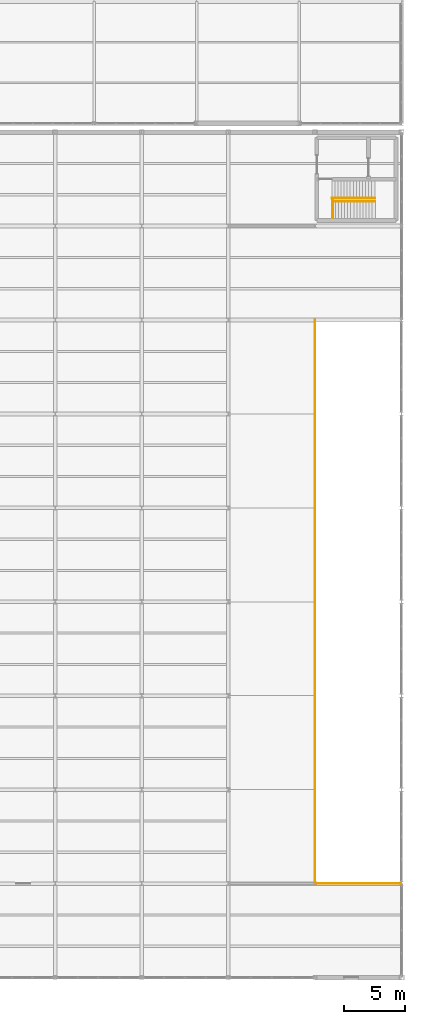
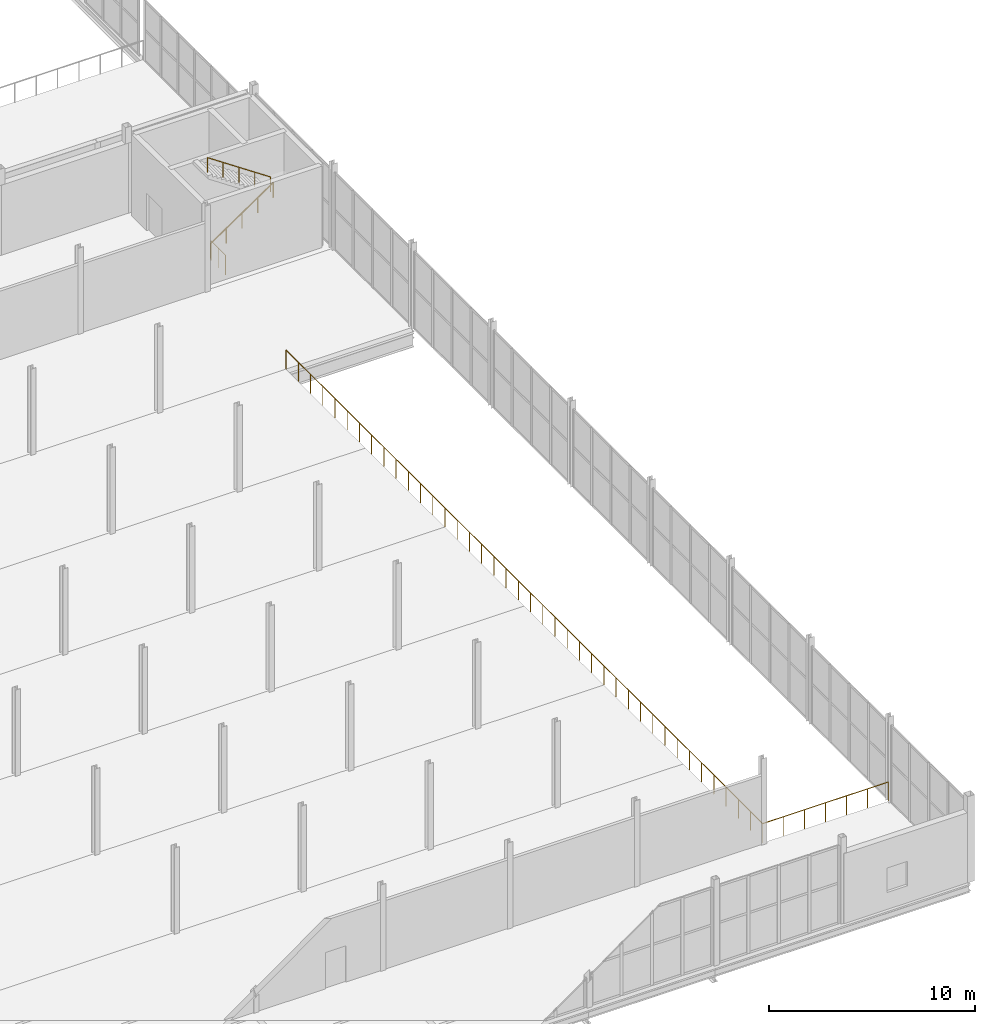
# One storey, part 217 of 218: 4 railings.
"""IFC4 building model written with IfcOpenShell, lengths in metres."""

import ifcopenshell
import ifcopenshell.guid

model = None  # the IFC model being written
_history = None  # IfcOwnerHistory: only IFC2X3 demands one
_inside = {}  # id of a spatial element -> (the spatial element, [elements in it])
_under = {}  # id of a project, library or spatial element -> (it, [spatial elements below it])
_declared = {}  # id of a project -> (the project, [libraries it declares])
_typed = {}  # id of a type object -> (the type object, [elements of that type])
_made_of = {}  # id of a material, layer set ... -> (it, [elements and type objects made of it])


def new_model(schema):
    """Start an empty IFC model of exactly this schema.

    Asked for "IFC4X3", IfcOpenShell would pick the latest addendum, in which some entities
    have other attributes; the version numbers below select the first issue.
    IFC2X3 requires an IfcOwnerHistory on every rooted entity: one is made here for all.
    """
    global model, _history
    if schema == "IFC4X3":
        model = ifcopenshell.file(schema_version=(4, 3, 0, 0))
    else:
        model = ifcopenshell.file(schema=schema)
    _inside.clear()
    _under.clear()
    _declared.clear()
    _typed.clear()
    _made_of.clear()
    _history = None
    if model.schema == "IFC2X3":
        org = make("IfcOrganization", Name="unknown")
        user = make(
            "IfcPersonAndOrganization",
            ThePerson=make("IfcPerson", FamilyName="unknown"),
            TheOrganization=org,
        )
        app = make(
            "IfcApplication",
            ApplicationDeveloper=org,
            Version="unknown",
            ApplicationFullName="unknown",
            ApplicationIdentifier="unknown",
        )
        _history = make(
            "IfcOwnerHistory",
            OwningUser=user,
            OwningApplication=app,
            ChangeAction="ADDED",
            CreationDate=0,
        )
    return model


def make(cls, **values):
    """One entity of the class cls with the attributes given. An attribute that is None is left unset."""
    return model.create_entity(
        cls, **{name: value for name, value in values.items() if value is not None}
    )


def rooted(cls, **values):
    """An entity with a GlobalId (a new one), such as an element, a storey or a relation."""
    return make(cls, GlobalId=ifcopenshell.guid.new(), OwnerHistory=_history, **values)


def si_unit(unit_type, name, prefix=None):
    """IfcSIUnit, for example si_unit("LENGTHUNIT", "METRE", prefix="MILLI")."""
    return make("IfcSIUnit", UnitType=unit_type, Prefix=prefix, Name=name)


def assignment(units):
    """IfcUnitAssignment: the units of a project."""
    return None if units is None else make("IfcUnitAssignment", Units=units)


def point(xyz):
    """IfcCartesianPoint."""
    return None if xyz is None else make("IfcCartesianPoint", Coordinates=xyz)


def direction(xyz):
    """IfcDirection."""
    return None if xyz is None else make("IfcDirection", DirectionRatios=xyz)


def frame(location, z_axis=None, x_axis=None):
    """IfcAxis2Placement3D, a coordinate frame: its origin and axes. An axis left out is left unset."""
    return make(
        "IfcAxis2Placement3D",
        Location=point(location),
        Axis=direction(z_axis),
        RefDirection=direction(x_axis),
    )


def frame_2d(location, x_axis=None):
    """IfcAxis2Placement2D, a coordinate frame in the plane: its origin and x axis."""
    return make(
        "IfcAxis2Placement2D", Location=point(location), RefDirection=direction(x_axis)
    )


def origin():
    """The frame at (0, 0, 0) with its axes left unset."""
    return frame((0.0, 0.0, 0.0))


def origin_2d():
    """The frame at (0, 0) in the plane with its x axis left unset."""
    return frame_2d((0.0, 0.0))


def place(relative_to, where):
    """IfcLocalPlacement: puts the frame where relative to a parent placement (None: the world)."""
    return make(
        "IfcLocalPlacement", PlacementRelTo=relative_to, RelativePlacement=where
    )


def context(
    kind, dimensions, precision=None, world=None, true_north=None, identifier=None
):
    """IfcGeometricRepresentationContext, for example the 3D "Model" context."""
    return make(
        "IfcGeometricRepresentationContext",
        ContextIdentifier=identifier,
        ContextType=kind,
        CoordinateSpaceDimension=dimensions,
        Precision=precision,
        WorldCoordinateSystem=world,
        TrueNorth=true_north,
    )


def subcontext(parent, identifier, kind, view, scale=None):
    """IfcGeometricRepresentationSubContext, for example "Body" below "Model"."""
    return make(
        "IfcGeometricRepresentationSubContext",
        ContextIdentifier=identifier,
        ContextType=kind,
        ParentContext=parent,
        TargetScale=scale,
        TargetView=view,
    )


def project(units=None, contexts=None):
    """IfcProject with its units and contexts."""
    return rooted(
        "IfcProject",
        Name="project",
        RepresentationContexts=contexts,
        UnitsInContext=assignment(units),
    )


def spatial(cls, under=None, at=None, **own):
    """A site, building, storey or space (cls), placed at a placement, below another one or the project."""
    s = rooted(cls, ObjectPlacement=at, **own)
    if under is not None:
        _under.setdefault(under.id(), (under, []))[1].append(s)
    return s


def profile(cls, at=None, kind="AREA", **sizes):
    """A parametric profile (cls). Its sizes go by their IFC names, for example OverallWidth=200.0."""
    return make(cls, ProfileType=kind, Position=at, **sizes)


def circle(**sizes):
    """IfcCircleProfileDef."""
    return profile("IfcCircleProfileDef", **sizes)


def extrude(swept, where, along, depth):
    """IfcExtrudedAreaSolid: the profile swept, set in the frame where, extruded along a direction by depth."""
    return make(
        "IfcExtrudedAreaSolid",
        SweptArea=swept,
        Position=where,
        ExtrudedDirection=direction(along),
        Depth=depth,
    )


def shape(context_of_items, identifier, shape_type, items):
    """IfcShapeRepresentation: the items that make up one representation, for example the "Body"."""
    return make(
        "IfcShapeRepresentation",
        ContextOfItems=context_of_items,
        RepresentationIdentifier=identifier,
        RepresentationType=shape_type,
        Items=items,
    )


def material(Name=None, Category=None):
    """IfcMaterial."""
    return make("IfcMaterial", Name=Name, Category=Category)


def made_of(thing, what):
    """Note that an element or type object is made of a material, layer set ...; save() writes the relation."""
    if what is not None:
        _made_of.setdefault(what.id(), (what, []))[1].append(thing)
    return thing


def type_object(cls, material=None, **own):
    """A type object (cls), such as IfcWallType, which elements share."""
    return made_of(rooted(cls, **own), material)


def element(
    cls,
    number,
    at=None,
    inside=None,
    cuts=None,
    type_object=None,
    material=None,
    context=None,
    identifier="Body",
    shape_type=None,
    held_by="IfcProductDefinitionShape",
    body=None,
    shapes=None,
    **own,
):
    """One element of the class cls, such as IfcWall. Its Tag is "e" and its number.

    at: its placement. inside: the storey or other place that contains it. cuts: it is an
    opening in that element (IfcRelVoidsElement). A single representation is given by context,
    identifier, shape_type and body (its items); several are given by shapes. held_by: the class
    of the entity that holds the representations. save() writes the other relations.
    """
    e = rooted(cls, Tag="e%d" % number, ObjectPlacement=at, **own)
    if body is not None:
        shapes = [shape(context, identifier, shape_type, body)]
    if shapes is not None:
        e.Representation = make(held_by, Representations=shapes)
    if inside is not None:
        _inside.setdefault(inside.id(), (inside, []))[1].append(e)
    if cuts is not None:
        rooted(
            "IfcRelVoidsElement", RelatingBuildingElement=cuts, RelatedOpeningElement=e
        )
    if type_object is not None:
        _typed.setdefault(type_object.id(), (type_object, []))[1].append(e)
    return made_of(e, material)


def aggregate(whole, parts):
    """IfcRelAggregates: a whole, such as a stair, and the parts it consists of."""
    return rooted("IfcRelAggregates", RelatingObject=whole, RelatedObjects=parts)


def save(model, path):
    """Write the relations noted so far, then the file.

    IfcRelAggregates (storeys below a building ...), IfcRelContainedInSpatialStructure (elements
    in a storey), IfcRelDefinesByType, IfcRelAssociatesMaterial and IfcRelDeclares: one each for
    every whole, place, type object, material and project.
    """
    for whole, parts in _under.values():
        aggregate(whole, parts)
    for where, things in _inside.values():
        rooted(
            "IfcRelContainedInSpatialStructure",
            RelatedElements=things,
            RelatingStructure=where,
        )
    for kind, things in _typed.values():
        rooted("IfcRelDefinesByType", RelatedObjects=things, RelatingType=kind)
    for what, things in _made_of.values():
        rooted("IfcRelAssociatesMaterial", RelatedObjects=things, RelatingMaterial=what)
    for by, libraries in _declared.values():
        rooted("IfcRelDeclares", RelatingContext=by, RelatedDefinitions=libraries)
    model.write(path)


model = new_model("IFC4")

# Units and contexts
model_context = context("Model", 3, precision=1e-05, world=origin(), true_north=direction((0.0, 1.0)))
body_context = subcontext(model_context, "Body", "Model", "MODEL_VIEW")
ifc_project = project(units=[si_unit("LENGTHUNIT", "METRE"), si_unit("AREAUNIT", "SQUARE_METRE"), si_unit("VOLUMEUNIT", "CUBIC_METRE"), si_unit("PLANEANGLEUNIT", "RADIAN"), si_unit("MASSUNIT", "GRAM", prefix="KILO")], contexts=[model_context])

# Site, building, storey
site_placement = place(None, origin())
site = spatial("IfcSite", under=ifc_project, at=site_placement, CompositionType="ELEMENT")
building_placement = place(site_placement, origin())
building = spatial("IfcBuilding", under=site, at=building_placement, Name="Kazenagashi Tramway Depot", CompositionType="ELEMENT")
storey_placement = place(building_placement, frame((0.0, 0.0, 6.0)))
storey = spatial("IfcBuildingStorey", under=building, at=storey_placement, Name="L02", CompositionType="ELEMENT", Elevation=6.0)

# Railings
ifc_material_1 = material(Name="Galvanised Painted Steel Balustrade", Category="steel")
railing_type_1 = type_object("IfcRailingType", Name="GR-01", PredefinedType="GUARDRAIL", material=ifc_material_1)
railing_1_placement = place(storey_placement, frame((190.36, 62.27, 0.0)))
element("IfcRailing", 1, at=railing_1_placement, inside=storey, type_object=railing_type_1, Name="Stairwell ST-25 Arrival Guardrail", PredefinedType="GUARDRAIL", context=body_context, shape_type="SweptSolid", body=[
    extrude(circle(Radius=0.024, at=origin_2d()), frame((0.0, 0.0, 1.156), z_axis=(0.0, 1.0, 0.0), x_axis=(-1.0, 0.0, 0.0)), (0.0, 0.0, 1.0), 1.4),
    extrude(circle(Radius=0.021, at=origin_2d()), origin(), (0.0, 0.0, 1.0), 1.132),
    extrude(circle(Radius=0.021, at=origin_2d()), frame((0.0, 0.7, 0.0)), (0.0, 0.0, 1.0), 1.132),
    extrude(circle(Radius=0.021, at=origin_2d()), frame((0.0, 1.4, 0.0)), (0.0, 0.0, 1.0), 1.132),
])
railing_2_placement = place(storey_placement, frame((195.95, 7.72, 0.0)))
element("IfcRailing", 2, at=railing_2_placement, inside=storey, type_object=railing_type_1, Name="EV Bus Ramp Well Edge Guardrail", PredefinedType="GUARDRAIL", context=body_context, shape_type="SweptSolid", body=[
    extrude(circle(Radius=0.024, at=origin_2d()), frame((0.0, 0.0, 1.126), z_axis=(-1.0, 0.0, 0.0), x_axis=(0.0, -1.0, 0.0)), (0.0, 0.0, 1.0), 7.03),
    extrude(circle(Radius=0.024, at=origin_2d()), frame((-7.03, 0.0, 1.126), z_axis=(0.0, 1.0, 0.0), x_axis=(-1.0, 0.0, 0.0)), (0.0, 0.0, 1.0), 46.18),
    extrude(circle(Radius=0.021, at=origin_2d()), origin(), (0.0, 0.0, 1.0), 1.102),
    extrude(circle(Radius=0.021, at=origin_2d()), frame((-1.171667, 0.0, 0.0)), (0.0, 0.0, 1.0), 1.102),
    extrude(circle(Radius=0.021, at=origin_2d()), frame((-2.343333, 0.0, 0.0)), (0.0, 0.0, 1.0), 1.102),
    extrude(circle(Radius=0.021, at=origin_2d()), frame((-3.515, 0.0, 0.0)), (0.0, 0.0, 1.0), 1.102),
    extrude(circle(Radius=0.021, at=origin_2d()), frame((-4.686667, 0.0, 0.0)), (0.0, 0.0, 1.0), 1.102),
    extrude(circle(Radius=0.021, at=origin_2d()), frame((-5.858333, 0.0, 0.0)), (0.0, 0.0, 1.0), 1.102),
    extrude(circle(Radius=0.021, at=origin_2d()), frame((-7.03, 0.0, 0.0)), (0.0, 0.0, 1.0), 1.102),
    extrude(circle(Radius=0.021, at=origin_2d()), frame((-7.03, 1.184103, 0.0)), (0.0, 0.0, 1.0), 1.102),
    extrude(circle(Radius=0.021, at=origin_2d()), frame((-7.03, 2.368205, 0.0)), (0.0, 0.0, 1.0), 1.102),
    extrude(circle(Radius=0.021, at=origin_2d()), frame((-7.03, 3.552308, 0.0)), (0.0, 0.0, 1.0), 1.102),
    extrude(circle(Radius=0.021, at=origin_2d()), frame((-7.03, 4.73641, 0.0)), (0.0, 0.0, 1.0), 1.102),
    extrude(circle(Radius=0.021, at=origin_2d()), frame((-7.03, 5.920513, 0.0)), (0.0, 0.0, 1.0), 1.102),
    extrude(circle(Radius=0.021, at=origin_2d()), frame((-7.03, 7.104615, 0.0)), (0.0, 0.0, 1.0), 1.102),
    extrude(circle(Radius=0.021, at=origin_2d()), frame((-7.03, 8.288718, 0.0)), (0.0, 0.0, 1.0), 1.102),
    extrude(circle(Radius=0.021, at=origin_2d()), frame((-7.03, 9.472821, 0.0)), (0.0, 0.0, 1.0), 1.102),
    extrude(circle(Radius=0.021, at=origin_2d()), frame((-7.03, 10.656923, 0.0)), (0.0, 0.0, 1.0), 1.102),
    extrude(circle(Radius=0.021, at=origin_2d()), frame((-7.03, 11.841026, 0.0)), (0.0, 0.0, 1.0), 1.102),
    extrude(circle(Radius=0.021, at=origin_2d()), frame((-7.03, 13.025128, 0.0)), (0.0, 0.0, 1.0), 1.102),
    extrude(circle(Radius=0.021, at=origin_2d()), frame((-7.03, 14.209231, 0.0)), (0.0, 0.0, 1.0), 1.102),
    extrude(circle(Radius=0.021, at=origin_2d()), frame((-7.03, 15.393333, 0.0)), (0.0, 0.0, 1.0), 1.102),
    extrude(circle(Radius=0.021, at=origin_2d()), frame((-7.03, 16.577436, 0.0)), (0.0, 0.0, 1.0), 1.102),
    extrude(circle(Radius=0.021, at=origin_2d()), frame((-7.03, 17.761538, 0.0)), (0.0, 0.0, 1.0), 1.102),
    extrude(circle(Radius=0.021, at=origin_2d()), frame((-7.03, 18.945641, 0.0)), (0.0, 0.0, 1.0), 1.102),
    extrude(circle(Radius=0.021, at=origin_2d()), frame((-7.03, 20.129744, 0.0)), (0.0, 0.0, 1.0), 1.102),
    extrude(circle(Radius=0.021, at=origin_2d()), frame((-7.03, 21.313846, 0.0)), (0.0, 0.0, 1.0), 1.102),
    extrude(circle(Radius=0.021, at=origin_2d()), frame((-7.03, 22.497949, 0.0)), (0.0, 0.0, 1.0), 1.102),
    extrude(circle(Radius=0.021, at=origin_2d()), frame((-7.03, 23.682051, 0.0)), (0.0, 0.0, 1.0), 1.102),
    extrude(circle(Radius=0.021, at=origin_2d()), frame((-7.03, 24.866154, 0.0)), (0.0, 0.0, 1.0), 1.102),
    extrude(circle(Radius=0.021, at=origin_2d()), frame((-7.03, 26.050256, 0.0)), (0.0, 0.0, 1.0), 1.102),
    extrude(circle(Radius=0.021, at=origin_2d()), frame((-7.03, 27.234359, 0.0)), (0.0, 0.0, 1.0), 1.102),
    extrude(circle(Radius=0.021, at=origin_2d()), frame((-7.03, 28.418462, 0.0)), (0.0, 0.0, 1.0), 1.102),
    extrude(circle(Radius=0.021, at=origin_2d()), frame((-7.03, 29.602564, 0.0)), (0.0, 0.0, 1.0), 1.102),
    extrude(circle(Radius=0.021, at=origin_2d()), frame((-7.03, 30.786667, 0.0)), (0.0, 0.0, 1.0), 1.102),
    extrude(circle(Radius=0.021, at=origin_2d()), frame((-7.03, 31.970769, 0.0)), (0.0, 0.0, 1.0), 1.102),
    extrude(circle(Radius=0.021, at=origin_2d()), frame((-7.03, 33.154872, 0.0)), (0.0, 0.0, 1.0), 1.102),
    extrude(circle(Radius=0.021, at=origin_2d()), frame((-7.03, 34.338974, 0.0)), (0.0, 0.0, 1.0), 1.102),
    extrude(circle(Radius=0.021, at=origin_2d()), frame((-7.03, 35.523077, 0.0)), (0.0, 0.0, 1.0), 1.102),
    extrude(circle(Radius=0.021, at=origin_2d()), frame((-7.03, 36.707179, 0.0)), (0.0, 0.0, 1.0), 1.102),
    extrude(circle(Radius=0.021, at=origin_2d()), frame((-7.03, 37.891282, 0.0)), (0.0, 0.0, 1.0), 1.102),
    extrude(circle(Radius=0.021, at=origin_2d()), frame((-7.03, 39.075385, 0.0)), (0.0, 0.0, 1.0), 1.102),
    extrude(circle(Radius=0.021, at=origin_2d()), frame((-7.03, 40.259487, 0.0)), (0.0, 0.0, 1.0), 1.102),
    extrude(circle(Radius=0.021, at=origin_2d()), frame((-7.03, 41.44359, 0.0)), (0.0, 0.0, 1.0), 1.102),
    extrude(circle(Radius=0.021, at=origin_2d()), frame((-7.03, 42.627692, 0.0)), (0.0, 0.0, 1.0), 1.102),
    extrude(circle(Radius=0.021, at=origin_2d()), frame((-7.03, 43.811795, 0.0)), (0.0, 0.0, 1.0), 1.102),
    extrude(circle(Radius=0.021, at=origin_2d()), frame((-7.03, 44.995897, 0.0)), (0.0, 0.0, 1.0), 1.102),
    extrude(circle(Radius=0.021, at=origin_2d()), frame((-7.03, 46.18, 0.0)), (0.0, 0.0, 1.0), 1.102),
])
ifc_material_2 = material(Name="Brushed Stainless Steel Handrail", Category="steel")
railing_type_2 = type_object("IfcRailingType", Name="HR-01", PredefinedType="HANDRAIL", material=ifc_material_2)
railing_3_placement = place(storey_placement, frame((190.32, 63.62, 0.17)))
element("IfcRailing", 3, at=railing_3_placement, inside=storey, type_object=railing_type_2, Name="Stair ST-26 Lower Handrail", PredefinedType="HANDRAIL", context=body_context, shape_type="SweptSolid", body=[
    extrude(circle(Radius=0.024, at=origin_2d()), frame((0.0, 0.0, 0.876), z_axis=(0.826026878985, 0.0, 0.563630725913), x_axis=(0.0, 1.0, 0.0)), (0.0, 0.0, 1.0), 4.222623),
    extrude(circle(Radius=0.021, at=origin_2d()), origin(), (0.0, 0.0, 1.0), 0.852),
    extrude(circle(Radius=0.021, at=origin_2d()), frame((0.872, 0.0, 0.595)), (0.0, 0.0, 1.0), 0.852),
    extrude(circle(Radius=0.021, at=origin_2d()), frame((1.744, 0.0, 1.19)), (0.0, 0.0, 1.0), 0.852),
    extrude(circle(Radius=0.021, at=origin_2d()), frame((2.616, 0.0, 1.785)), (0.0, 0.0, 1.0), 0.852),
    extrude(circle(Radius=0.021, at=origin_2d()), frame((3.488, 0.0, 2.38)), (0.0, 0.0, 1.0), 0.852),
])
railing_4_placement = place(storey_placement, frame((193.808, 63.88, 2.72)))
element("IfcRailing", 4, at=railing_4_placement, inside=storey, type_object=railing_type_2, Name="Stair ST-26 Upper Handrail", PredefinedType="HANDRAIL", context=body_context, shape_type="SweptSolid", body=[
    extrude(circle(Radius=0.024, at=origin_2d()), frame((0.0, 0.0, 0.876), z_axis=(-0.829001192095, 0.0, 0.559246835937), x_axis=(0.0, -1.0, 0.0)), (0.0, 0.0, 1.0), 4.255724),
    extrude(circle(Radius=0.021, at=origin_2d()), origin(), (0.0, 0.0, 1.0), 0.852),
    extrude(circle(Radius=0.021, at=origin_2d()), frame((-0.882, 0.0, 0.595)), (0.0, 0.0, 1.0), 0.852),
    extrude(circle(Radius=0.021, at=origin_2d()), frame((-1.764, 0.0, 1.19)), (0.0, 0.0, 1.0), 0.852),
    extrude(circle(Radius=0.021, at=origin_2d()), frame((-2.646, 0.0, 1.785)), (0.0, 0.0, 1.0), 0.852),
    extrude(circle(Radius=0.021, at=origin_2d()), frame((-3.528, 0.0, 2.38)), (0.0, 0.0, 1.0), 0.852),
])

save(model, "model.ifc")
